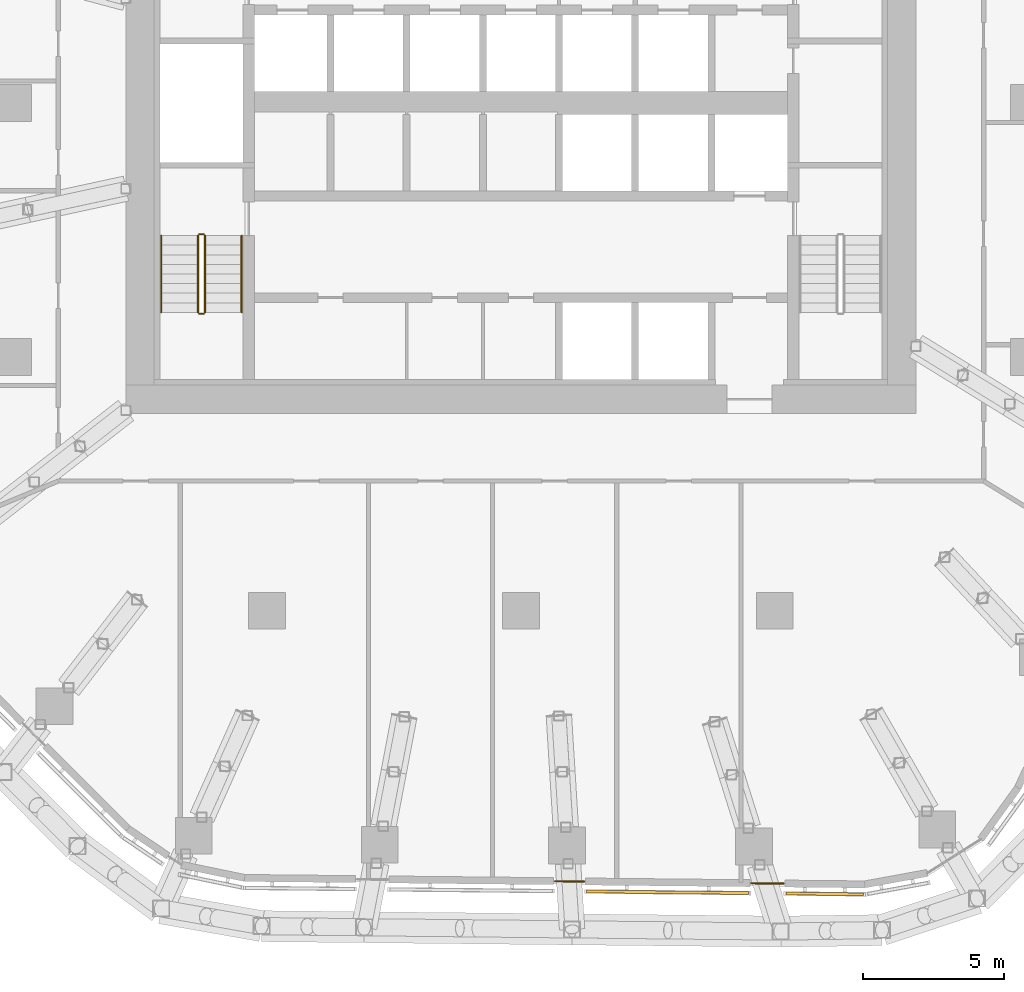
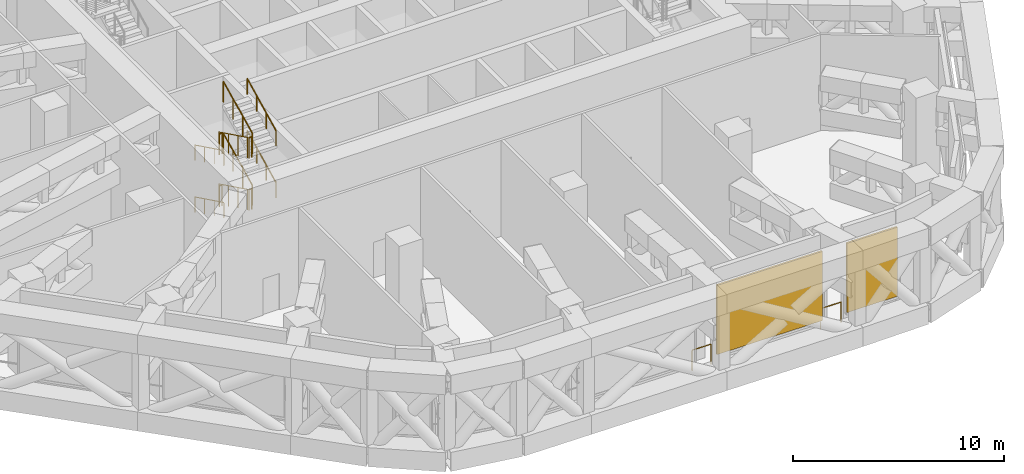
# One storey, part 26 of 30: 14 railings, 2 coverings, 1 element without a shape of its own.
"""IFC4 building model written with IfcOpenShell, lengths in metres."""

from ifc_helpers import new_model, si_unit, direction, frame, origin, origin_2d, place, context, subcontext, project, spatial, rectangle, circle, extrude, material, layer, layer_set, type_object, element, aggregate, save


model = new_model("IFC4")

# Units and contexts
model_context = context("Model", 3, precision=1e-05, world=origin(), true_north=direction((0.0, 1.0)))
body_context = subcontext(model_context, "Body", "Model", "MODEL_VIEW")
ifc_project = project(units=[si_unit("LENGTHUNIT", "METRE"), si_unit("AREAUNIT", "SQUARE_METRE"), si_unit("VOLUMEUNIT", "CUBIC_METRE"), si_unit("PLANEANGLEUNIT", "RADIAN"), si_unit("MASSUNIT", "GRAM", prefix="KILO")], contexts=[model_context])

# Site, building, storey
site_placement = place(None, origin())
site = spatial("IfcSite", under=ifc_project, at=site_placement, CompositionType="ELEMENT")
building_placement = place(site_placement, origin())
building = spatial("IfcBuilding", under=site, at=building_placement, Name="Dongbaek Canopy Tower", CompositionType="ELEMENT")
storey_placement = place(building_placement, frame((0.0, 0.0, 145.60009765625)))
storey = spatial("IfcBuildingStorey", under=building, at=storey_placement, Name="L32", CompositionType="ELEMENT", Elevation=145.60009765625)

# Curtain wall, coverings
ifc_material_1 = material(Name="Aluminium 6063-T6 pale anodised", Category="aluminium")
ifc_layer_1 = layer(ifc_material_1, 0.14990234375)
ifc_layer_set_1 = layer_set([ifc_layer_1], Name="CW-7 louvre curtain wall")
curtain_wall_type = type_object("IfcCurtainWallType", Name="CW-7 louvre curtain wall", PredefinedType="NOTDEFINED", material=ifc_layer_set_1)
curtain_wall_placement = place(storey_placement, origin())
curtain_wall = element("IfcCurtainWall", 1, at=curtain_wall_placement, inside=storey, type_object=curtain_wall_type, Name="CW-7 louvre wall L32 F4", PredefinedType="NOTDEFINED")
ifc_material_2 = material(Name="Aluminium 6063-T6 pale metal louvre blades", Category="aluminium")
ifc_layer_2 = layer(ifc_material_2, 0.10009765625)
ifc_layer_set_2 = layer_set([ifc_layer_2], Name="Louvre LV bank 100 x 4000")
covering_type = type_object("IfcCoveringType", Name="Louvre LV bank 100 x 4000", PredefinedType="CLADDING", material=ifc_layer_set_2)
covering_1_placement = place(storey_placement, frame((5.2001953125, -27.97509765625, 0.77490234375), z_axis=(0.0, 0.0, 1.0), x_axis=(0.999945908801, -0.010400936107, 0.0)))
covering_1 = element("IfcCovering", 2, at=covering_1_placement, type_object=covering_type, Name="Louvre L32 F4.3.1", PredefinedType="CLADDING", context=body_context, shape_type="SweptSolid", body=[
    extrude(rectangle(XDim=5.74169921875, YDim=0.10009765625, at=origin_2d()), origin(), (0.0, 0.0, 1.0), 4.0),
])
covering_2_placement = place(storey_placement, frame((10.7685546875, -28.032958984375, 0.77490234375), z_axis=(0.0, 0.0, 1.0), x_axis=(0.999945908801, -0.010400936107, 0.0)))
covering_2 = element("IfcCovering", 3, at=covering_2_placement, type_object=covering_type, Name="Louvre L32 F4.4.1", PredefinedType="CLADDING", context=body_context, shape_type="SweptSolid", body=[
    extrude(rectangle(XDim=2.739501953125, YDim=0.10009765625, at=origin_2d()), origin(), (0.0, 0.0, 1.0), 4.0),
])
aggregate(curtain_wall, [covering_1, covering_2])

# Railings
ifc_material_3 = material(Name="Stainless steel", Category="steel")
railing_type_1 = type_object("IfcRailingType", Name="Plant opening guard 1200", PredefinedType="GUARDRAIL", material=ifc_material_3)
railing_1_placement = place(storey_placement, frame((1.20751953125, -27.58349609375, 0.0)))
element("IfcRailing", 4, at=railing_1_placement, inside=storey, type_object=railing_type_1, Name="Plant opening guard L32 F4 2", PredefinedType="GUARDRAIL", context=body_context, shape_type="SweptSolid", body=[
    extrude(circle(Radius=0.02392578125, at=origin_2d()), frame((0.0, 0.0, 1.17578125), z_axis=(0.999945699538, -0.010421035239, 0.0), x_axis=(0.010421035239, 0.999945699538, 0.0)), (0.0, 0.0, 1.0), 1.03076171875),
    extrude(circle(Radius=0.02099609375, at=origin_2d()), origin(), (0.0, 0.0, 1.0), 1.15185546875),
    extrude(circle(Radius=0.02099609375, at=origin_2d()), frame((1.03076171875, -0.0107421875, 0.0)), (0.0, 0.0, 1.0), 1.15185546875),
])
railing_2_placement = place(storey_placement, frame((8.16943359375, -27.656005859375, 0.0)))
element("IfcRailing", 5, at=railing_2_placement, inside=storey, type_object=railing_type_1, Name="Plant opening guard L32 F4 3", PredefinedType="GUARDRAIL", context=body_context, shape_type="SweptSolid", body=[
    extrude(circle(Radius=0.02392578125, at=origin_2d()), frame((0.0, 0.0, 1.17578125), z_axis=(0.999946977557, -0.01029767323, 0.0), x_axis=(0.01029767323, 0.999946977557, 0.0)), (0.0, 0.0, 1.0), 1.137939453125),
    extrude(circle(Radius=0.02099609375, at=origin_2d()), origin(), (0.0, 0.0, 1.0), 1.15185546875),
    extrude(circle(Radius=0.02099609375, at=origin_2d()), frame((1.137939453125, -0.01171875, 0.0)), (0.0, 0.0, 1.0), 1.15185546875),
])
ifc_material_4 = material(Name="Stainless steel tube and balusters", Category="steel")
railing_type_2 = type_object("IfcRailingType", Name="Stair guard 1200", PredefinedType="GUARDRAIL", material=ifc_material_4)
railing_3_placement = place(storey_placement, frame((-11.449951171875, -4.699951171875, 0.16650390625)))
element("IfcRailing", 6, at=railing_3_placement, inside=storey, type_object=railing_type_2, Name="L32 ST-D stair guard 1", PredefinedType="GUARDRAIL", context=body_context, shape_type="SweptSolid", body=[
    extrude(circle(Radius=0.02392578125, at=origin_2d()), frame((0.0, 0.0, 1.17578125), z_axis=(0.0, -0.89789761255, 0.440204358653), x_axis=(1.0, 0.0, 0.0)), (0.0, 0.0, 1.0), 3.029296875),
    extrude(circle(Radius=0.02099609375, at=origin_2d()), origin(), (0.0, 0.0, 1.0), 1.15185546875),
    extrude(circle(Radius=0.02099609375, at=origin_2d()), frame((0.0, -0.90673828125, 0.444580078125)), (0.0, 0.0, 1.0), 1.15185546875),
    extrude(circle(Radius=0.02099609375, at=origin_2d()), frame((0.0, -1.813232421875, 0.888916015625)), (0.0, 0.0, 1.0), 1.15185546875),
    extrude(circle(Radius=0.02099609375, at=origin_2d()), frame((0.0, -2.719970703125, 1.33349609375)), (0.0, 0.0, 1.0), 1.15185546875),
])
railing_4_placement = place(storey_placement, frame((-11.39990234375, -7.469970703125, 1.5)))
element("IfcRailing", 7, at=railing_4_placement, inside=storey, type_object=railing_type_2, Name="L32 ST-D stair guard 2", PredefinedType="GUARDRAIL", context=body_context, shape_type="SweptSolid", body=[
    extrude(circle(Radius=0.02392578125, at=origin_2d()), frame((0.0, 0.0, 1.17578125), z_axis=(1.0, 0.0, 0.0), x_axis=(0.0, 1.0, 0.0)), (0.0, 0.0, 1.0), 0.14990234375),
    extrude(circle(Radius=0.02099609375, at=origin_2d()), origin(), (0.0, 0.0, 1.0), 1.15185546875),
    extrude(circle(Radius=0.02099609375, at=origin_2d()), frame((0.14990234375, 0.0, 0.0)), (0.0, 0.0, 1.0), 1.15185546875),
])
railing_5_placement = place(storey_placement, frame((-11.199951171875, -7.419921875, 1.66650390625)))
element("IfcRailing", 8, at=railing_5_placement, inside=storey, type_object=railing_type_2, Name="L32 ST-D stair guard 3", PredefinedType="GUARDRAIL", context=body_context, shape_type="SweptSolid", body=[
    extrude(circle(Radius=0.02392578125, at=origin_2d()), frame((0.0, 0.0, 1.17578125), z_axis=(0.0, 0.89789761255, 0.440204358653), x_axis=(-1.0, 0.0, 0.0)), (0.0, 0.0, 1.0), 3.029296875),
    extrude(circle(Radius=0.02099609375, at=origin_2d()), origin(), (0.0, 0.0, 1.0), 1.15185546875),
    extrude(circle(Radius=0.02099609375, at=origin_2d()), frame((0.0, 0.90673828125, 0.444580078125)), (0.0, 0.0, 1.0), 1.15185546875),
    extrude(circle(Radius=0.02099609375, at=origin_2d()), frame((0.0, 1.813232421875, 0.888916015625)), (0.0, 0.0, 1.0), 1.15185546875),
    extrude(circle(Radius=0.02099609375, at=origin_2d()), frame((0.0, 2.719970703125, 1.33349609375)), (0.0, 0.0, 1.0), 1.15185546875),
])
railing_6_placement = place(storey_placement, frame((-11.39990234375, -4.64990234375, 3.0)))
element("IfcRailing", 9, at=railing_6_placement, inside=storey, type_object=railing_type_2, Name="L32 ST-D stair guard 4", PredefinedType="GUARDRAIL", context=body_context, shape_type="SweptSolid", body=[
    extrude(circle(Radius=0.02392578125, at=origin_2d()), frame((0.0, 0.0, 1.17578125), z_axis=(1.0, 0.0, 0.0), x_axis=(0.0, 1.0, 0.0)), (0.0, 0.0, 1.0), 0.14990234375),
    extrude(circle(Radius=0.02099609375, at=origin_2d()), origin(), (0.0, 0.0, 1.0), 1.15185546875),
    extrude(circle(Radius=0.02099609375, at=origin_2d()), frame((0.14990234375, 0.0, 0.0)), (0.0, 0.0, 1.0), 1.15185546875),
])
railing_7_placement = place(storey_placement, frame((-11.449951171875, -4.699951171875, 3.16650390625)))
element("IfcRailing", 10, at=railing_7_placement, inside=storey, type_object=railing_type_2, Name="L32 ST-D stair guard 5", PredefinedType="GUARDRAIL", context=body_context, shape_type="SweptSolid", body=[
    extrude(circle(Radius=0.02392578125, at=origin_2d()), frame((0.0, 0.0, 1.17578125), z_axis=(0.0, -0.89789761255, 0.440204358653), x_axis=(1.0, 0.0, 0.0)), (0.0, 0.0, 1.0), 3.029296875),
    extrude(circle(Radius=0.02099609375, at=origin_2d()), origin(), (0.0, 0.0, 1.0), 1.15185546875),
    extrude(circle(Radius=0.02099609375, at=origin_2d()), frame((0.0, -0.90673828125, 0.444580078125)), (0.0, 0.0, 1.0), 1.15185546875),
    extrude(circle(Radius=0.02099609375, at=origin_2d()), frame((0.0, -1.813232421875, 0.888916015625)), (0.0, 0.0, 1.0), 1.15185546875),
    extrude(circle(Radius=0.02099609375, at=origin_2d()), frame((0.0, -2.719970703125, 1.33349609375)), (0.0, 0.0, 1.0), 1.15185546875),
])
railing_8_placement = place(storey_placement, frame((-11.39990234375, -7.469970703125, 4.5)))
element("IfcRailing", 11, at=railing_8_placement, inside=storey, type_object=railing_type_2, Name="L32 ST-D stair guard 6", PredefinedType="GUARDRAIL", context=body_context, shape_type="SweptSolid", body=[
    extrude(circle(Radius=0.02392578125, at=origin_2d()), frame((0.0, 0.0, 1.17578125), z_axis=(1.0, 0.0, 0.0), x_axis=(0.0, 1.0, 0.0)), (0.0, 0.0, 1.0), 0.14990234375),
    extrude(circle(Radius=0.02099609375, at=origin_2d()), origin(), (0.0, 0.0, 1.0), 1.15185546875),
    extrude(circle(Radius=0.02099609375, at=origin_2d()), frame((0.14990234375, 0.0, 0.0)), (0.0, 0.0, 1.0), 1.15185546875),
])
railing_9_placement = place(storey_placement, frame((-11.199951171875, -7.419921875, 4.66650390625)))
element("IfcRailing", 12, at=railing_9_placement, inside=storey, type_object=railing_type_2, Name="L32 ST-D stair guard 7", PredefinedType="GUARDRAIL", context=body_context, shape_type="SweptSolid", body=[
    extrude(circle(Radius=0.02392578125, at=origin_2d()), frame((0.0, 0.0, 1.17578125), z_axis=(0.0, 0.89789761255, 0.440204358653), x_axis=(-1.0, 0.0, 0.0)), (0.0, 0.0, 1.0), 3.029296875),
    extrude(circle(Radius=0.02099609375, at=origin_2d()), origin(), (0.0, 0.0, 1.0), 1.15185546875),
    extrude(circle(Radius=0.02099609375, at=origin_2d()), frame((0.0, 0.90673828125, 0.444580078125)), (0.0, 0.0, 1.0), 1.15185546875),
    extrude(circle(Radius=0.02099609375, at=origin_2d()), frame((0.0, 1.813232421875, 0.888916015625)), (0.0, 0.0, 1.0), 1.15185546875),
    extrude(circle(Radius=0.02099609375, at=origin_2d()), frame((0.0, 2.719970703125, 1.33349609375)), (0.0, 0.0, 1.0), 1.15185546875),
])
railing_10_placement = place(storey_placement, frame((-11.39990234375, -4.64990234375, 0.0)))
element("IfcRailing", 13, at=railing_10_placement, inside=storey, type_object=railing_type_2, Name="L32 ST-D stair guard 8", PredefinedType="GUARDRAIL", context=body_context, shape_type="SweptSolid", body=[
    extrude(circle(Radius=0.02392578125, at=origin_2d()), frame((0.0, 0.0, 1.17578125), z_axis=(1.0, 0.0, 0.0), x_axis=(0.0, 1.0, 0.0)), (0.0, 0.0, 1.0), 0.14990234375),
    extrude(circle(Radius=0.02099609375, at=origin_2d()), origin(), (0.0, 0.0, 1.0), 1.15185546875),
    extrude(circle(Radius=0.02099609375, at=origin_2d()), frame((0.14990234375, 0.0, 0.0)), (0.0, 0.0, 1.0), 1.15185546875),
])
ifc_material_5 = material(Name="Stainless steel tube", Category="steel")
railing_type_3 = type_object("IfcRailingType", Name="Stair handrail 900", PredefinedType="HANDRAIL", material=ifc_material_5)
railing_11_placement = place(storey_placement, frame((-12.75, -4.699951171875, 0.16650390625)))
element("IfcRailing", 14, at=railing_11_placement, inside=storey, type_object=railing_type_3, Name="L32 ST-D stair handrail 1", PredefinedType="HANDRAIL", context=body_context, shape_type="SweptSolid", body=[
    extrude(circle(Radius=0.02392578125, at=origin_2d()), frame((0.0, 0.0, 0.8759765625), z_axis=(0.0, -0.89789761255, 0.440204358653), x_axis=(1.0, 0.0, 0.0)), (0.0, 0.0, 1.0), 3.029296875),
    extrude(circle(Radius=0.02099609375, at=origin_2d()), origin(), (0.0, 0.0, 1.0), 0.851806640625),
    extrude(circle(Radius=0.02099609375, at=origin_2d()), frame((0.0, -0.90673828125, 0.444580078125)), (0.0, 0.0, 1.0), 0.851806640625),
    extrude(circle(Radius=0.02099609375, at=origin_2d()), frame((0.0, -1.813232421875, 0.888916015625)), (0.0, 0.0, 1.0), 0.851806640625),
    extrude(circle(Radius=0.02099609375, at=origin_2d()), frame((0.0, -2.719970703125, 1.33349609375)), (0.0, 0.0, 1.0), 0.851806640625),
])
railing_12_placement = place(storey_placement, frame((-9.89990234375, -7.419921875, 1.66650390625)))
element("IfcRailing", 15, at=railing_12_placement, inside=storey, type_object=railing_type_3, Name="L32 ST-D stair handrail 2", PredefinedType="HANDRAIL", context=body_context, shape_type="SweptSolid", body=[
    extrude(circle(Radius=0.02392578125, at=origin_2d()), frame((0.0, 0.0, 0.8759765625), z_axis=(0.0, 0.89789761255, 0.440204358653), x_axis=(-1.0, 0.0, 0.0)), (0.0, 0.0, 1.0), 3.029296875),
    extrude(circle(Radius=0.02099609375, at=origin_2d()), origin(), (0.0, 0.0, 1.0), 0.851806640625),
    extrude(circle(Radius=0.02099609375, at=origin_2d()), frame((0.0, 0.90673828125, 0.444580078125)), (0.0, 0.0, 1.0), 0.851806640625),
    extrude(circle(Radius=0.02099609375, at=origin_2d()), frame((0.0, 1.813232421875, 0.888916015625)), (0.0, 0.0, 1.0), 0.851806640625),
    extrude(circle(Radius=0.02099609375, at=origin_2d()), frame((0.0, 2.719970703125, 1.33349609375)), (0.0, 0.0, 1.0), 0.851806640625),
])
railing_13_placement = place(storey_placement, frame((-12.75, -4.699951171875, 3.16650390625)))
element("IfcRailing", 16, at=railing_13_placement, inside=storey, type_object=railing_type_3, Name="L32 ST-D stair handrail 3", PredefinedType="HANDRAIL", context=body_context, shape_type="SweptSolid", body=[
    extrude(circle(Radius=0.02392578125, at=origin_2d()), frame((0.0, 0.0, 0.8759765625), z_axis=(0.0, -0.89789761255, 0.440204358653), x_axis=(1.0, 0.0, 0.0)), (0.0, 0.0, 1.0), 3.029296875),
    extrude(circle(Radius=0.02099609375, at=origin_2d()), origin(), (0.0, 0.0, 1.0), 0.851806640625),
    extrude(circle(Radius=0.02099609375, at=origin_2d()), frame((0.0, -0.90673828125, 0.444580078125)), (0.0, 0.0, 1.0), 0.851806640625),
    extrude(circle(Radius=0.02099609375, at=origin_2d()), frame((0.0, -1.813232421875, 0.888916015625)), (0.0, 0.0, 1.0), 0.851806640625),
    extrude(circle(Radius=0.02099609375, at=origin_2d()), frame((0.0, -2.719970703125, 1.33349609375)), (0.0, 0.0, 1.0), 0.851806640625),
])
railing_14_placement = place(storey_placement, frame((-9.89990234375, -7.419921875, 4.66650390625)))
element("IfcRailing", 17, at=railing_14_placement, inside=storey, type_object=railing_type_3, Name="L32 ST-D stair handrail 4", PredefinedType="HANDRAIL", context=body_context, shape_type="SweptSolid", body=[
    extrude(circle(Radius=0.02392578125, at=origin_2d()), frame((0.0, 0.0, 0.8759765625), z_axis=(0.0, 0.89789761255, 0.440204358653), x_axis=(-1.0, 0.0, 0.0)), (0.0, 0.0, 1.0), 3.029296875),
    extrude(circle(Radius=0.02099609375, at=origin_2d()), origin(), (0.0, 0.0, 1.0), 0.851806640625),
    extrude(circle(Radius=0.02099609375, at=origin_2d()), frame((0.0, 0.90673828125, 0.444580078125)), (0.0, 0.0, 1.0), 0.851806640625),
    extrude(circle(Radius=0.02099609375, at=origin_2d()), frame((0.0, 1.813232421875, 0.888916015625)), (0.0, 0.0, 1.0), 0.851806640625),
    extrude(circle(Radius=0.02099609375, at=origin_2d()), frame((0.0, 2.719970703125, 1.33349609375)), (0.0, 0.0, 1.0), 0.851806640625),
])

save(model, "model.ifc")
